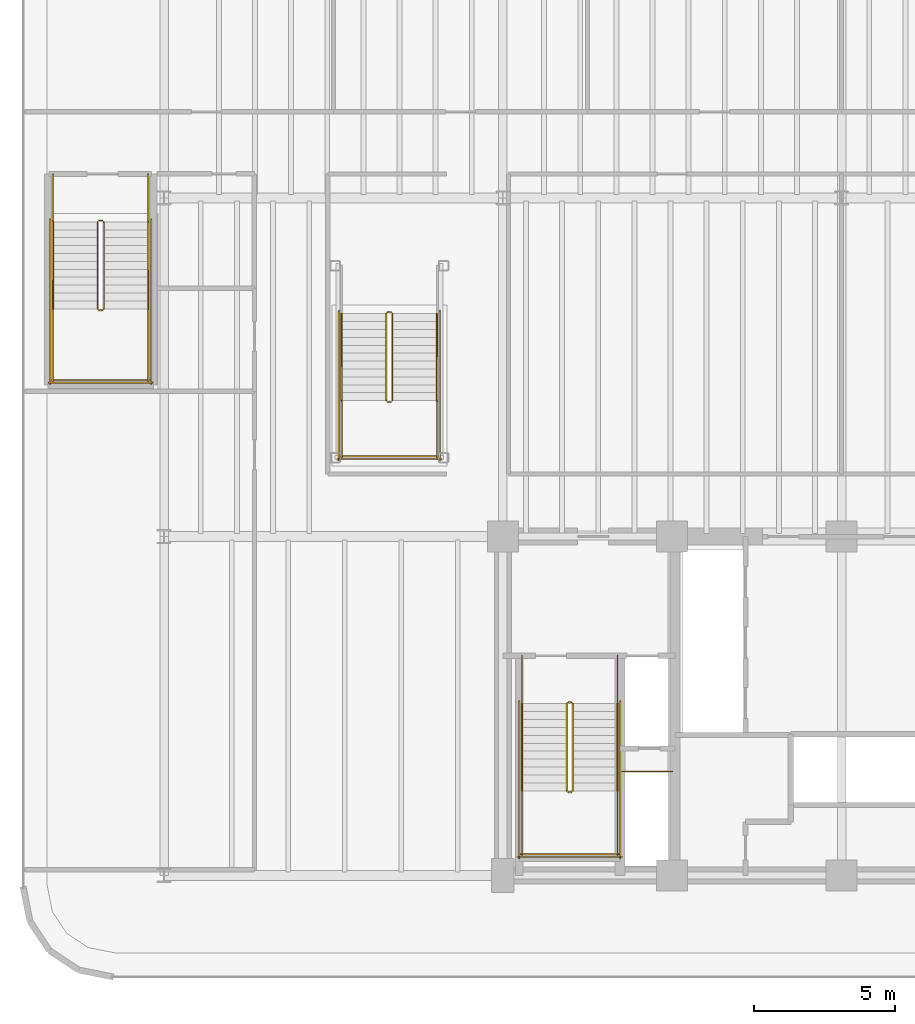
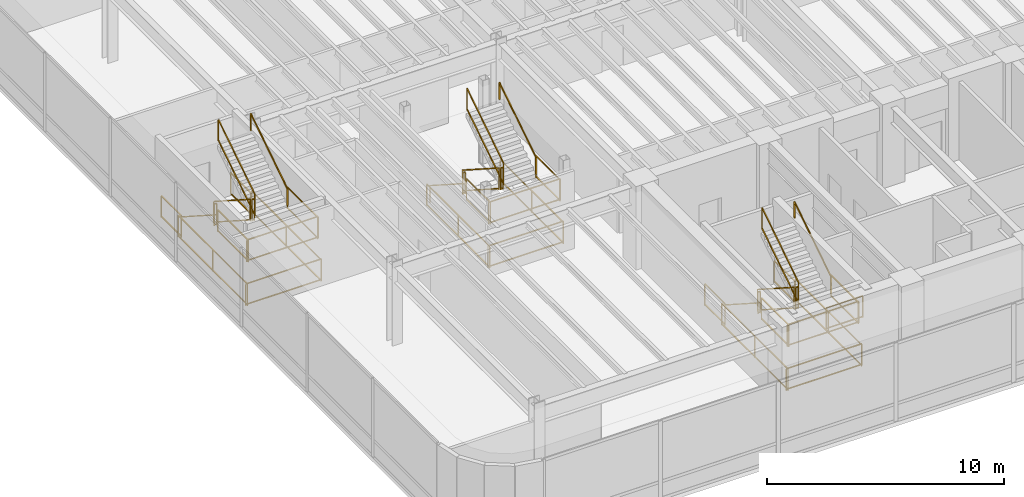
# One storey, part 16 of 18: 41 railings.
"""IFC4 building model written with IfcOpenShell, lengths in metres."""

from ifc_helpers import new_model, si_unit, direction, frame, origin, origin_2d, place, context, subcontext, project, spatial, rectangle, extrude, material, layer, layer_set, type_object, element, save


model = new_model("IFC4")

# Units and contexts
model_context = context("Model", 3, precision=1e-05, world=origin(), true_north=direction((0.0, 1.0)))
body_context = subcontext(model_context, "Body", "Model", "MODEL_VIEW")
ifc_project = project(units=[si_unit("LENGTHUNIT", "METRE"), si_unit("AREAUNIT", "SQUARE_METRE"), si_unit("VOLUMEUNIT", "CUBIC_METRE"), si_unit("PLANEANGLEUNIT", "RADIAN"), si_unit("MASSUNIT", "GRAM", prefix="KILO")], contexts=[model_context])

# Site, building, storey
site_placement = place(None, origin())
site = spatial("IfcSite", under=ifc_project, at=site_placement, CompositionType="ELEMENT")
building_placement = place(site_placement, origin())
building = spatial("IfcBuilding", under=site, at=building_placement, Name="Brelvock Crest Care Tower", CompositionType="ELEMENT")
storey_placement = place(building_placement, frame((0.0, 0.0, 5.39990234375)))
storey = spatial("IfcBuildingStorey", under=building, at=storey_placement, Name="L01", CompositionType="ELEMENT", Elevation=5.39990234375)

# Railings
ifc_material = material(Name="Steel Grade 350", Category="steel")
ifc_layer_1 = layer(ifc_material, 0.050048828125, Name="RL-STG1")
ifc_layer_set_1 = layer_set([ifc_layer_1], Name="Steel Grade 350")
railing_type_1 = type_object("IfcRailingType", Name="RL-STG1", PredefinedType="GUARDRAIL", material=ifc_layer_set_1)
railing_1_placement = place(storey_placement, frame((26.260009765625, 12.080078125, 0.18017578125)))
element("IfcRailing", 1, at=railing_1_placement, inside=storey, type_object=railing_type_1, Name="L01 ST-1 stair guard 1", PredefinedType="GUARDRAIL", context=body_context, shape_type="SweptSolid", body=[
    extrude(rectangle(XDim=0.048095703125, YDim=0.048095703125, at=origin_2d()), frame((0.0, -0.001708984375, 1.116943359375), z_axis=(0.0, -0.84118714077, 0.540744111576), x_axis=(1.0, 0.0, 0.0)), (0.0, 0.0, 1.0), 3.657470703125),
    extrude(rectangle(XDim=0.048095703125, YDim=0.048095703125, at=origin_2d()), frame((0.0, -0.001708984375, 0.05615234375), z_axis=(0.0, -0.84118714077, 0.540744111576), x_axis=(1.0, 0.0, 0.0)), (0.0, 0.0, 1.0), 3.657470703125),
    extrude(rectangle(XDim=0.0419921875, YDim=0.0419921875, at=origin_2d()), origin(), (0.0, 0.0, 1.0), 1.08984375),
    extrude(rectangle(XDim=0.0419921875, YDim=0.0419921875, at=origin_2d()), frame((0.0, -3.080078125, 1.97998046875)), (0.0, 0.0, 1.0), 1.08984375),
])
railing_2_placement = place(storey_placement, frame((26.31005859375, 8.949951171875, 2.16015625)))
element("IfcRailing", 2, at=railing_2_placement, inside=storey, type_object=railing_type_1, Name="L01 ST-1 stair guard 2", PredefinedType="GUARDRAIL", context=body_context, shape_type="SweptSolid", body=[
    extrude(rectangle(XDim=0.048095703125, YDim=0.048095703125, at=origin_2d()), frame((0.001953125, 0.0, 1.11572265625), z_axis=(1.0, 0.0, 0.0), x_axis=(0.0, 1.0, 0.0)), (0.0, 0.0, 1.0), 0.115966796875),
    extrude(rectangle(XDim=0.048095703125, YDim=0.048095703125, at=origin_2d()), frame((0.001953125, 0.0, 0.054931640625), z_axis=(1.0, 0.0, 0.0), x_axis=(0.0, 1.0, 0.0)), (0.0, 0.0, 1.0), 0.115966796875),
    extrude(rectangle(XDim=0.0419921875, YDim=0.0419921875, at=origin_2d()), origin(), (0.0, 0.0, 1.0), 1.08984375),
    extrude(rectangle(XDim=0.0419921875, YDim=0.0419921875, at=origin_2d()), frame((0.119873046875, 0.0, 0.0)), (0.0, 0.0, 1.0), 1.08984375),
])
for number, where, name in (
    (3, (24.679931640625, 9.0, 2.16015625), "L01 ST-1 stair guard 3"),
    (4, (28.06005859375, 9.0, 2.16015625), "L01 ST-1 stair guard 4"),
):
    element("IfcRailing", number, at=place(storey_placement, frame(where)), inside=storey, type_object=railing_type_1, Name=name, PredefinedType="GUARDRAIL", context=body_context, shape_type="SweptSolid", body=[
        extrude(rectangle(XDim=0.048095703125, YDim=0.048095703125, at=origin_2d()), frame((0.0, -0.001953125, 1.11572265625), z_axis=(0.0, -1.0, 0.0), x_axis=(1.0, 0.0, 0.0)), (0.0, 0.0, 1.0), 2.296142578125),
        extrude(rectangle(XDim=0.048095703125, YDim=0.048095703125, at=origin_2d()), frame((0.0, -0.001953125, 0.054931640625), z_axis=(0.0, -1.0, 0.0), x_axis=(1.0, 0.0, 0.0)), (0.0, 0.0, 1.0), 2.296142578125),
        extrude(rectangle(XDim=0.0419921875, YDim=0.0419921875, at=origin_2d()), origin(), (0.0, 0.0, 1.0), 1.08984375),
        extrude(rectangle(XDim=0.0419921875, YDim=0.0419921875, at=origin_2d()), frame((0.0, -2.300048828125, 0.0)), (0.0, 0.0, 1.0), 1.08984375),
    ])
railing_3_placement = place(storey_placement, frame((24.6298828125, 6.75, 2.16015625)))
element("IfcRailing", 5, at=railing_3_placement, inside=storey, type_object=railing_type_1, Name="L01 ST-1 stair guard 5", PredefinedType="GUARDRAIL", context=body_context, shape_type="SweptSolid", body=[
    extrude(rectangle(XDim=0.048095703125, YDim=0.048095703125, at=origin_2d()), frame((0.001953125, 0.0, 1.11572265625), z_axis=(1.0, 0.0, 0.0), x_axis=(0.0, 1.0, 0.0)), (0.0, 0.0, 1.0), 3.476318359375),
    extrude(rectangle(XDim=0.048095703125, YDim=0.048095703125, at=origin_2d()), frame((0.001953125, 0.0, 0.054931640625), z_axis=(1.0, 0.0, 0.0), x_axis=(0.0, 1.0, 0.0)), (0.0, 0.0, 1.0), 3.476318359375),
    extrude(rectangle(XDim=0.0419921875, YDim=0.0419921875, at=origin_2d()), origin(), (0.0, 0.0, 1.0), 1.08984375),
    extrude(rectangle(XDim=0.0419921875, YDim=0.0419921875, at=origin_2d()), frame((3.480224609375, 0.0, 0.0)), (0.0, 0.0, 1.0), 1.08984375),
])
railing_4_placement = place(storey_placement, frame((26.47998046875, 9.0, 2.340087890625)))
element("IfcRailing", 6, at=railing_4_placement, inside=storey, type_object=railing_type_1, Name="L01 ST-1 stair guard 6", PredefinedType="GUARDRAIL", context=body_context, shape_type="SweptSolid", body=[
    extrude(rectangle(XDim=0.048095703125, YDim=0.048095703125, at=origin_2d()), frame((0.0, 0.001708984375, 1.116943359375), z_axis=(0.0, 0.84118714077, 0.540744111576), x_axis=(-1.0, 0.0, 0.0)), (0.0, 0.0, 1.0), 3.657470703125),
    extrude(rectangle(XDim=0.048095703125, YDim=0.048095703125, at=origin_2d()), frame((0.0, 0.001708984375, 0.05615234375), z_axis=(0.0, 0.84118714077, 0.540744111576), x_axis=(-1.0, 0.0, 0.0)), (0.0, 0.0, 1.0), 3.657470703125),
    extrude(rectangle(XDim=0.0419921875, YDim=0.0419921875, at=origin_2d()), origin(), (0.0, 0.0, 1.0), 1.08984375),
    extrude(rectangle(XDim=0.0419921875, YDim=0.0419921875, at=origin_2d()), frame((0.0, 3.080078125, 1.97998046875)), (0.0, 0.0, 1.0), 1.08984375),
])
railing_5_placement = place(storey_placement, frame((26.31005859375, 12.1298828125, 0.0)))
element("IfcRailing", 7, at=railing_5_placement, inside=storey, type_object=railing_type_1, Name="L01 ST-1 stair guard 7", PredefinedType="GUARDRAIL", context=body_context, shape_type="SweptSolid", body=[
    extrude(rectangle(XDim=0.048095703125, YDim=0.048095703125, at=origin_2d()), frame((0.001953125, 0.0, 1.11572265625), z_axis=(1.0, 0.0, 0.0), x_axis=(0.0, 1.0, 0.0)), (0.0, 0.0, 1.0), 0.115966796875),
    extrude(rectangle(XDim=0.048095703125, YDim=0.048095703125, at=origin_2d()), frame((0.001953125, 0.0, 0.054931640625), z_axis=(1.0, 0.0, 0.0), x_axis=(0.0, 1.0, 0.0)), (0.0, 0.0, 1.0), 0.115966796875),
    extrude(rectangle(XDim=0.0419921875, YDim=0.0419921875, at=origin_2d()), origin(), (0.0, 0.0, 1.0), 1.08984375),
    extrude(rectangle(XDim=0.0419921875, YDim=0.0419921875, at=origin_2d()), frame((0.119873046875, 0.0, 0.0)), (0.0, 0.0, 1.0), 1.08984375),
])
for number, where, name in (
    (8, (24.679931640625, 13.780029296875, 0.0), "L01 ST-1 stair guard 8"),
    (9, (28.06005859375, 13.780029296875, 0.0), "L01 ST-1 stair guard 9"),
):
    element("IfcRailing", number, at=place(storey_placement, frame(where)), inside=storey, type_object=railing_type_1, Name=name, PredefinedType="GUARDRAIL", context=body_context, shape_type="SweptSolid", body=[
        extrude(rectangle(XDim=0.048095703125, YDim=0.048095703125, at=origin_2d()), frame((0.0, -0.001953125, 1.11572265625), z_axis=(0.0, -1.0, 0.0), x_axis=(1.0, 0.0, 0.0)), (0.0, 0.0, 1.0), 1.696044921875),
        extrude(rectangle(XDim=0.048095703125, YDim=0.048095703125, at=origin_2d()), frame((0.0, -0.001953125, 0.054931640625), z_axis=(0.0, -1.0, 0.0), x_axis=(1.0, 0.0, 0.0)), (0.0, 0.0, 1.0), 1.696044921875),
        extrude(rectangle(XDim=0.0419921875, YDim=0.0419921875, at=origin_2d()), origin(), (0.0, 0.0, 1.0), 1.08984375),
        extrude(rectangle(XDim=0.0419921875, YDim=0.0419921875, at=origin_2d()), frame((0.0, -1.699951171875, 0.0)), (0.0, 0.0, 1.0), 1.08984375),
    ])
for number, where, name in (
    (10, (24.580078125, 12.179931640625, 0.0), "L01 ST-1 stair guard 10"),
    (11, (28.159912109375, 12.179931640625, 0.0), "L01 ST-1 stair guard 11"),
):
    element("IfcRailing", number, at=place(storey_placement, frame(where)), inside=storey, type_object=railing_type_1, Name=name, PredefinedType="GUARDRAIL", context=body_context, shape_type="SweptSolid", body=[
        extrude(rectangle(XDim=0.048095703125, YDim=0.048095703125, at=origin_2d()), frame((0.0, -0.001953125, 1.11572265625), z_axis=(0.0, -1.0, 0.0), x_axis=(1.0, 0.0, 0.0)), (0.0, 0.0, 1.0), 5.575927734375),
        extrude(rectangle(XDim=0.048095703125, YDim=0.048095703125, at=origin_2d()), frame((0.0, -0.001953125, 0.054931640625), z_axis=(0.0, -1.0, 0.0), x_axis=(1.0, 0.0, 0.0)), (0.0, 0.0, 1.0), 5.575927734375),
        extrude(rectangle(XDim=0.0419921875, YDim=0.0419921875, at=origin_2d()), origin(), (0.0, 0.0, 1.0), 1.08984375),
        extrude(rectangle(XDim=0.0419921875, YDim=0.0419921875, at=origin_2d()), frame((0.0, -2.7900390625, 0.0)), (0.0, 0.0, 1.0), 1.08984375),
        extrude(rectangle(XDim=0.0419921875, YDim=0.0419921875, at=origin_2d()), frame((0.0, -5.579833984375, 0.0)), (0.0, 0.0, 1.0), 1.08984375),
    ])
railing_6_placement = place(storey_placement, frame((24.530029296875, 6.64990234375, 0.0)))
element("IfcRailing", 12, at=railing_6_placement, inside=storey, type_object=railing_type_1, Name="L01 ST-1 stair guard 12", PredefinedType="GUARDRAIL", context=body_context, shape_type="SweptSolid", body=[
    extrude(rectangle(XDim=0.048095703125, YDim=0.048095703125, at=origin_2d()), frame((0.001953125, 0.0, 1.11572265625), z_axis=(1.0, 0.0, 0.0), x_axis=(0.0, 1.0, 0.0)), (0.0, 0.0, 1.0), 3.676025390625),
    extrude(rectangle(XDim=0.048095703125, YDim=0.048095703125, at=origin_2d()), frame((0.001953125, 0.0, 0.054931640625), z_axis=(1.0, 0.0, 0.0), x_axis=(0.0, 1.0, 0.0)), (0.0, 0.0, 1.0), 3.676025390625),
    extrude(rectangle(XDim=0.0419921875, YDim=0.0419921875, at=origin_2d()), origin(), (0.0, 0.0, 1.0), 1.08984375),
    extrude(rectangle(XDim=0.0419921875, YDim=0.0419921875, at=origin_2d()), frame((3.679931640625, 0.0, 0.0)), (0.0, 0.0, 1.0), 1.08984375),
])
railing_7_placement = place(storey_placement, frame((9.639892578125, 29.14990234375, 0.18017578125)))
element("IfcRailing", 13, at=railing_7_placement, inside=storey, type_object=railing_type_1, Name="L01 ST-3 stair guard 1", PredefinedType="GUARDRAIL", context=body_context, shape_type="SweptSolid", body=[
    extrude(rectangle(XDim=0.048095703125, YDim=0.048095703125, at=origin_2d()), frame((0.0, -0.001708984375, 1.116943359375), z_axis=(0.0, -0.841167642724, 0.540774441735), x_axis=(1.0, 0.0, 0.0)), (0.0, 0.0, 1.0), 3.657470703125),
    extrude(rectangle(XDim=0.048095703125, YDim=0.048095703125, at=origin_2d()), frame((0.0, -0.001708984375, 0.05615234375), z_axis=(0.0, -0.841167642724, 0.540774441735), x_axis=(1.0, 0.0, 0.0)), (0.0, 0.0, 1.0), 3.657470703125),
    extrude(rectangle(XDim=0.0419921875, YDim=0.0419921875, at=origin_2d()), origin(), (0.0, 0.0, 1.0), 1.08984375),
    extrude(rectangle(XDim=0.0419921875, YDim=0.0419921875, at=origin_2d()), frame((0.0, -3.079833984375, 1.97998046875)), (0.0, 0.0, 1.0), 1.08984375),
])
railing_8_placement = place(storey_placement, frame((9.68994140625, 26.02001953125, 2.16015625)))
element("IfcRailing", 14, at=railing_8_placement, inside=storey, type_object=railing_type_1, Name="L01 ST-3 stair guard 2", PredefinedType="GUARDRAIL", context=body_context, shape_type="SweptSolid", body=[
    extrude(rectangle(XDim=0.048095703125, YDim=0.048095703125, at=origin_2d()), frame((0.001953125, 0.0, 1.11572265625), z_axis=(1.0, 0.0, 0.0), x_axis=(0.0, 1.0, 0.0)), (0.0, 0.0, 1.0), 0.1162109375),
    extrude(rectangle(XDim=0.048095703125, YDim=0.048095703125, at=origin_2d()), frame((0.001953125, 0.0, 0.054931640625), z_axis=(1.0, 0.0, 0.0), x_axis=(0.0, 1.0, 0.0)), (0.0, 0.0, 1.0), 0.1162109375),
    extrude(rectangle(XDim=0.0419921875, YDim=0.0419921875, at=origin_2d()), origin(), (0.0, 0.0, 1.0), 1.08984375),
    extrude(rectangle(XDim=0.0419921875, YDim=0.0419921875, at=origin_2d()), frame((0.1201171875, 0.0, 0.0)), (0.0, 0.0, 1.0), 1.08984375),
])
for number, where, name in (
    (15, (8.06005859375, 26.070068359375, 2.16015625), "L01 ST-3 stair guard 3"),
    (16, (11.43994140625, 26.070068359375, 2.16015625), "L01 ST-3 stair guard 4"),
):
    element("IfcRailing", number, at=place(storey_placement, frame(where)), inside=storey, type_object=railing_type_1, Name=name, PredefinedType="GUARDRAIL", context=body_context, shape_type="SweptSolid", body=[
        extrude(rectangle(XDim=0.048095703125, YDim=0.048095703125, at=origin_2d()), frame((0.0, -0.001953125, 1.11572265625), z_axis=(0.0, -1.0, 0.0), x_axis=(1.0, 0.0, 0.0)), (0.0, 0.0, 1.0), 2.566162109375),
        extrude(rectangle(XDim=0.048095703125, YDim=0.048095703125, at=origin_2d()), frame((0.0, -0.001953125, 0.054931640625), z_axis=(0.0, -1.0, 0.0), x_axis=(1.0, 0.0, 0.0)), (0.0, 0.0, 1.0), 2.566162109375),
        extrude(rectangle(XDim=0.0419921875, YDim=0.0419921875, at=origin_2d()), origin(), (0.0, 0.0, 1.0), 1.08984375),
        extrude(rectangle(XDim=0.0419921875, YDim=0.0419921875, at=origin_2d()), frame((0.0, -2.570068359375, 0.0)), (0.0, 0.0, 1.0), 1.08984375),
    ])
railing_9_placement = place(storey_placement, frame((8.010009765625, 23.550048828125, 2.16015625)))
element("IfcRailing", 17, at=railing_9_placement, inside=storey, type_object=railing_type_1, Name="L01 ST-3 stair guard 5", PredefinedType="GUARDRAIL", context=body_context, shape_type="SweptSolid", body=[
    extrude(rectangle(XDim=0.048095703125, YDim=0.048095703125, at=origin_2d()), frame((0.001953125, 0.0, 1.11572265625), z_axis=(1.0, 0.0, 0.0), x_axis=(0.0, 1.0, 0.0)), (0.0, 0.0, 1.0), 3.47607421875),
    extrude(rectangle(XDim=0.048095703125, YDim=0.048095703125, at=origin_2d()), frame((0.001953125, 0.0, 0.054931640625), z_axis=(1.0, 0.0, 0.0), x_axis=(0.0, 1.0, 0.0)), (0.0, 0.0, 1.0), 3.47607421875),
    extrude(rectangle(XDim=0.0419921875, YDim=0.0419921875, at=origin_2d()), origin(), (0.0, 0.0, 1.0), 1.08984375),
    extrude(rectangle(XDim=0.0419921875, YDim=0.0419921875, at=origin_2d()), frame((3.47998046875, 0.0, 0.0)), (0.0, 0.0, 1.0), 1.08984375),
])
railing_10_placement = place(storey_placement, frame((9.860107421875, 26.070068359375, 2.340087890625)))
element("IfcRailing", 18, at=railing_10_placement, inside=storey, type_object=railing_type_1, Name="L01 ST-3 stair guard 6", PredefinedType="GUARDRAIL", context=body_context, shape_type="SweptSolid", body=[
    extrude(rectangle(XDim=0.048095703125, YDim=0.048095703125, at=origin_2d()), frame((0.0, 0.001708984375, 1.116943359375), z_axis=(0.0, 0.841167642724, 0.540774441735), x_axis=(-1.0, 0.0, 0.0)), (0.0, 0.0, 1.0), 3.657470703125),
    extrude(rectangle(XDim=0.048095703125, YDim=0.048095703125, at=origin_2d()), frame((0.0, 0.001708984375, 0.05615234375), z_axis=(0.0, 0.841167642724, 0.540774441735), x_axis=(-1.0, 0.0, 0.0)), (0.0, 0.0, 1.0), 3.657470703125),
    extrude(rectangle(XDim=0.0419921875, YDim=0.0419921875, at=origin_2d()), origin(), (0.0, 0.0, 1.0), 1.08984375),
    extrude(rectangle(XDim=0.0419921875, YDim=0.0419921875, at=origin_2d()), frame((0.0, 3.079833984375, 1.97998046875)), (0.0, 0.0, 1.0), 1.08984375),
])
railing_11_placement = place(storey_placement, frame((9.68994140625, 29.199951171875, 0.0)))
element("IfcRailing", 19, at=railing_11_placement, inside=storey, type_object=railing_type_1, Name="L01 ST-3 stair guard 7", PredefinedType="GUARDRAIL", context=body_context, shape_type="SweptSolid", body=[
    extrude(rectangle(XDim=0.048095703125, YDim=0.048095703125, at=origin_2d()), frame((0.001953125, 0.0, 1.11572265625), z_axis=(1.0, 0.0, 0.0), x_axis=(0.0, 1.0, 0.0)), (0.0, 0.0, 1.0), 0.1162109375),
    extrude(rectangle(XDim=0.048095703125, YDim=0.048095703125, at=origin_2d()), frame((0.001953125, 0.0, 0.054931640625), z_axis=(1.0, 0.0, 0.0), x_axis=(0.0, 1.0, 0.0)), (0.0, 0.0, 1.0), 0.1162109375),
    extrude(rectangle(XDim=0.0419921875, YDim=0.0419921875, at=origin_2d()), origin(), (0.0, 0.0, 1.0), 1.08984375),
    extrude(rectangle(XDim=0.0419921875, YDim=0.0419921875, at=origin_2d()), frame((0.1201171875, 0.0, 0.0)), (0.0, 0.0, 1.0), 1.08984375),
])
for number, where, name in (
    (20, (8.06005859375, 30.85009765625, 0.0), "L01 ST-3 stair guard 8"),
    (21, (11.43994140625, 30.85009765625, 0.0), "L01 ST-3 stair guard 9"),
):
    element("IfcRailing", number, at=place(storey_placement, frame(where)), inside=storey, type_object=railing_type_1, Name=name, PredefinedType="GUARDRAIL", context=body_context, shape_type="SweptSolid", body=[
        extrude(rectangle(XDim=0.048095703125, YDim=0.048095703125, at=origin_2d()), frame((0.0, -0.001953125, 1.11572265625), z_axis=(0.0, -1.0, 0.0), x_axis=(1.0, 0.0, 0.0)), (0.0, 0.0, 1.0), 1.6962890625),
        extrude(rectangle(XDim=0.048095703125, YDim=0.048095703125, at=origin_2d()), frame((0.0, -0.001953125, 0.054931640625), z_axis=(0.0, -1.0, 0.0), x_axis=(1.0, 0.0, 0.0)), (0.0, 0.0, 1.0), 1.6962890625),
        extrude(rectangle(XDim=0.0419921875, YDim=0.0419921875, at=origin_2d()), origin(), (0.0, 0.0, 1.0), 1.08984375),
        extrude(rectangle(XDim=0.0419921875, YDim=0.0419921875, at=origin_2d()), frame((0.0, -1.7001953125, 0.0)), (0.0, 0.0, 1.0), 1.08984375),
    ])
for number, where, name in (
    (22, (7.9599609375, 29.25, 0.0), "L01 ST-3 stair guard 10"),
    (23, (11.5400390625, 29.25, 0.0), "L01 ST-3 stair guard 11"),
):
    element("IfcRailing", number, at=place(storey_placement, frame(where)), inside=storey, type_object=railing_type_1, Name=name, PredefinedType="GUARDRAIL", context=body_context, shape_type="SweptSolid", body=[
        extrude(rectangle(XDim=0.048095703125, YDim=0.048095703125, at=origin_2d()), frame((0.0, -0.001953125, 1.11572265625), z_axis=(0.0, -1.0, 0.0), x_axis=(1.0, 0.0, 0.0)), (0.0, 0.0, 1.0), 5.84619140625),
        extrude(rectangle(XDim=0.048095703125, YDim=0.048095703125, at=origin_2d()), frame((0.0, -0.001953125, 0.054931640625), z_axis=(0.0, -1.0, 0.0), x_axis=(1.0, 0.0, 0.0)), (0.0, 0.0, 1.0), 5.84619140625),
        extrude(rectangle(XDim=0.0419921875, YDim=0.0419921875, at=origin_2d()), origin(), (0.0, 0.0, 1.0), 1.08984375),
        extrude(rectangle(XDim=0.0419921875, YDim=0.0419921875, at=origin_2d()), frame((0.0, -2.925048828125, 0.0)), (0.0, 0.0, 1.0), 1.08984375),
        extrude(rectangle(XDim=0.0419921875, YDim=0.0419921875, at=origin_2d()), frame((0.0, -5.85009765625, 0.0)), (0.0, 0.0, 1.0), 1.08984375),
    ])
railing_12_placement = place(storey_placement, frame((7.909912109375, 23.449951171875, 0.0)))
element("IfcRailing", 24, at=railing_12_placement, inside=storey, type_object=railing_type_1, Name="L01 ST-3 stair guard 12", PredefinedType="GUARDRAIL", context=body_context, shape_type="SweptSolid", body=[
    extrude(rectangle(XDim=0.048095703125, YDim=0.048095703125, at=origin_2d()), frame((0.001953125, 0.0, 1.11572265625), z_axis=(1.0, 0.0, 0.0), x_axis=(0.0, 1.0, 0.0)), (0.0, 0.0, 1.0), 3.67626953125),
    extrude(rectangle(XDim=0.048095703125, YDim=0.048095703125, at=origin_2d()), frame((0.001953125, 0.0, 0.054931640625), z_axis=(1.0, 0.0, 0.0), x_axis=(0.0, 1.0, 0.0)), (0.0, 0.0, 1.0), 3.67626953125),
    extrude(rectangle(XDim=0.0419921875, YDim=0.0419921875, at=origin_2d()), origin(), (0.0, 0.0, 1.0), 1.08984375),
    extrude(rectangle(XDim=0.0419921875, YDim=0.0419921875, at=origin_2d()), frame((3.68017578125, 0.0, 0.0)), (0.0, 0.0, 1.0), 1.08984375),
])
railing_13_placement = place(storey_placement, frame((19.8701171875, 25.89990234375, 0.18017578125)))
element("IfcRailing", 25, at=railing_13_placement, inside=storey, type_object=railing_type_1, Name="L01 ST-5 stair guard 1", PredefinedType="GUARDRAIL", context=body_context, shape_type="SweptSolid", body=[
    extrude(rectangle(XDim=0.048095703125, YDim=0.048095703125, at=origin_2d()), frame((0.0, -0.001708984375, 1.116943359375), z_axis=(0.0, -0.841167642724, 0.540774441735), x_axis=(1.0, 0.0, 0.0)), (0.0, 0.0, 1.0), 3.657470703125),
    extrude(rectangle(XDim=0.048095703125, YDim=0.048095703125, at=origin_2d()), frame((0.0, -0.001708984375, 0.05615234375), z_axis=(0.0, -0.841167642724, 0.540774441735), x_axis=(1.0, 0.0, 0.0)), (0.0, 0.0, 1.0), 3.657470703125),
    extrude(rectangle(XDim=0.0419921875, YDim=0.0419921875, at=origin_2d()), origin(), (0.0, 0.0, 1.0), 1.08984375),
    extrude(rectangle(XDim=0.0419921875, YDim=0.0419921875, at=origin_2d()), frame((0.0, -3.079833984375, 1.97998046875)), (0.0, 0.0, 1.0), 1.08984375),
])
railing_14_placement = place(storey_placement, frame((19.919921875, 22.77001953125, 2.16015625)))
element("IfcRailing", 26, at=railing_14_placement, inside=storey, type_object=railing_type_1, Name="L01 ST-5 stair guard 2", PredefinedType="GUARDRAIL", context=body_context, shape_type="SweptSolid", body=[
    extrude(rectangle(XDim=0.048095703125, YDim=0.048095703125, at=origin_2d()), frame((0.001953125, 0.0, 1.11572265625), z_axis=(1.0, 0.0, 0.0), x_axis=(0.0, 1.0, 0.0)), (0.0, 0.0, 1.0), 0.1162109375),
    extrude(rectangle(XDim=0.048095703125, YDim=0.048095703125, at=origin_2d()), frame((0.001953125, 0.0, 0.054931640625), z_axis=(1.0, 0.0, 0.0), x_axis=(0.0, 1.0, 0.0)), (0.0, 0.0, 1.0), 0.1162109375),
    extrude(rectangle(XDim=0.0419921875, YDim=0.0419921875, at=origin_2d()), origin(), (0.0, 0.0, 1.0), 1.08984375),
    extrude(rectangle(XDim=0.0419921875, YDim=0.0419921875, at=origin_2d()), frame((0.1201171875, 0.0, 0.0)), (0.0, 0.0, 1.0), 1.08984375),
])
for number, where, name in (
    (27, (18.2900390625, 22.820068359375, 2.16015625), "L01 ST-5 stair guard 3"),
    (28, (21.669921875, 22.820068359375, 2.16015625), "L01 ST-5 stair guard 4"),
):
    element("IfcRailing", number, at=place(storey_placement, frame(where)), inside=storey, type_object=railing_type_1, Name=name, PredefinedType="GUARDRAIL", context=body_context, shape_type="SweptSolid", body=[
        extrude(rectangle(XDim=0.048095703125, YDim=0.048095703125, at=origin_2d()), frame((0.0, -0.001953125, 1.11572265625), z_axis=(0.0, -1.0, 0.0), x_axis=(1.0, 0.0, 0.0)), (0.0, 0.0, 1.0), 2.01611328125),
        extrude(rectangle(XDim=0.048095703125, YDim=0.048095703125, at=origin_2d()), frame((0.0, -0.001953125, 0.054931640625), z_axis=(0.0, -1.0, 0.0), x_axis=(1.0, 0.0, 0.0)), (0.0, 0.0, 1.0), 2.01611328125),
        extrude(rectangle(XDim=0.0419921875, YDim=0.0419921875, at=origin_2d()), origin(), (0.0, 0.0, 1.0), 1.08984375),
        extrude(rectangle(XDim=0.0419921875, YDim=0.0419921875, at=origin_2d()), frame((0.0, -2.02001953125, 0.0)), (0.0, 0.0, 1.0), 1.08984375),
    ])
railing_15_placement = place(storey_placement, frame((18.239990234375, 20.85009765625, 2.16015625)))
element("IfcRailing", 29, at=railing_15_placement, inside=storey, type_object=railing_type_1, Name="L01 ST-5 stair guard 5", PredefinedType="GUARDRAIL", context=body_context, shape_type="SweptSolid", body=[
    extrude(rectangle(XDim=0.048095703125, YDim=0.048095703125, at=origin_2d()), frame((0.001953125, 0.0, 1.11572265625), z_axis=(1.0, 0.0, 0.0), x_axis=(0.0, 1.0, 0.0)), (0.0, 0.0, 1.0), 3.47607421875),
    extrude(rectangle(XDim=0.048095703125, YDim=0.048095703125, at=origin_2d()), frame((0.001953125, 0.0, 0.054931640625), z_axis=(1.0, 0.0, 0.0), x_axis=(0.0, 1.0, 0.0)), (0.0, 0.0, 1.0), 3.47607421875),
    extrude(rectangle(XDim=0.0419921875, YDim=0.0419921875, at=origin_2d()), origin(), (0.0, 0.0, 1.0), 1.08984375),
    extrude(rectangle(XDim=0.0419921875, YDim=0.0419921875, at=origin_2d()), frame((3.47998046875, 0.0, 0.0)), (0.0, 0.0, 1.0), 1.08984375),
])
railing_16_placement = place(storey_placement, frame((20.090087890625, 22.820068359375, 2.340087890625)))
element("IfcRailing", 30, at=railing_16_placement, inside=storey, type_object=railing_type_1, Name="L01 ST-5 stair guard 6", PredefinedType="GUARDRAIL", context=body_context, shape_type="SweptSolid", body=[
    extrude(rectangle(XDim=0.048095703125, YDim=0.048095703125, at=origin_2d()), frame((0.0, 0.001708984375, 1.116943359375), z_axis=(0.0, 0.841167642724, 0.540774441735), x_axis=(-1.0, 0.0, 0.0)), (0.0, 0.0, 1.0), 3.657470703125),
    extrude(rectangle(XDim=0.048095703125, YDim=0.048095703125, at=origin_2d()), frame((0.0, 0.001708984375, 0.05615234375), z_axis=(0.0, 0.841167642724, 0.540774441735), x_axis=(-1.0, 0.0, 0.0)), (0.0, 0.0, 1.0), 3.657470703125),
    extrude(rectangle(XDim=0.0419921875, YDim=0.0419921875, at=origin_2d()), origin(), (0.0, 0.0, 1.0), 1.08984375),
    extrude(rectangle(XDim=0.0419921875, YDim=0.0419921875, at=origin_2d()), frame((0.0, 3.079833984375, 1.97998046875)), (0.0, 0.0, 1.0), 1.08984375),
])
railing_17_placement = place(storey_placement, frame((19.919921875, 25.949951171875, 0.0)))
element("IfcRailing", 31, at=railing_17_placement, inside=storey, type_object=railing_type_1, Name="L01 ST-5 stair guard 7", PredefinedType="GUARDRAIL", context=body_context, shape_type="SweptSolid", body=[
    extrude(rectangle(XDim=0.048095703125, YDim=0.048095703125, at=origin_2d()), frame((0.001953125, 0.0, 1.11572265625), z_axis=(1.0, 0.0, 0.0), x_axis=(0.0, 1.0, 0.0)), (0.0, 0.0, 1.0), 0.1162109375),
    extrude(rectangle(XDim=0.048095703125, YDim=0.048095703125, at=origin_2d()), frame((0.001953125, 0.0, 0.054931640625), z_axis=(1.0, 0.0, 0.0), x_axis=(0.0, 1.0, 0.0)), (0.0, 0.0, 1.0), 0.1162109375),
    extrude(rectangle(XDim=0.0419921875, YDim=0.0419921875, at=origin_2d()), origin(), (0.0, 0.0, 1.0), 1.08984375),
    extrude(rectangle(XDim=0.0419921875, YDim=0.0419921875, at=origin_2d()), frame((0.1201171875, 0.0, 0.0)), (0.0, 0.0, 1.0), 1.08984375),
])
for number, where, name in (
    (32, (18.18994140625, 26.0, 0.0), "L01 ST-5 stair guard 10"),
    (33, (21.77001953125, 26.0, 0.0), "L01 ST-5 stair guard 11"),
):
    element("IfcRailing", number, at=place(storey_placement, frame(where)), inside=storey, type_object=railing_type_1, Name=name, PredefinedType="GUARDRAIL", context=body_context, shape_type="SweptSolid", body=[
        extrude(rectangle(XDim=0.048095703125, YDim=0.048095703125, at=origin_2d()), frame((0.0, -0.001953125, 1.11572265625), z_axis=(0.0, -1.0, 0.0), x_axis=(1.0, 0.0, 0.0)), (0.0, 0.0, 1.0), 5.296142578125),
        extrude(rectangle(XDim=0.048095703125, YDim=0.048095703125, at=origin_2d()), frame((0.0, -0.001953125, 0.054931640625), z_axis=(0.0, -1.0, 0.0), x_axis=(1.0, 0.0, 0.0)), (0.0, 0.0, 1.0), 5.296142578125),
        extrude(rectangle(XDim=0.0419921875, YDim=0.0419921875, at=origin_2d()), origin(), (0.0, 0.0, 1.0), 1.08984375),
        extrude(rectangle(XDim=0.0419921875, YDim=0.0419921875, at=origin_2d()), frame((0.0, -2.64990234375, 0.0)), (0.0, 0.0, 1.0), 1.08984375),
        extrude(rectangle(XDim=0.0419921875, YDim=0.0419921875, at=origin_2d()), frame((0.0, -5.300048828125, 0.0)), (0.0, 0.0, 1.0), 1.08984375),
    ])
railing_18_placement = place(storey_placement, frame((18.139892578125, 20.75, 0.0)))
element("IfcRailing", 34, at=railing_18_placement, inside=storey, type_object=railing_type_1, Name="L01 ST-5 stair guard 12", PredefinedType="GUARDRAIL", context=body_context, shape_type="SweptSolid", body=[
    extrude(rectangle(XDim=0.048095703125, YDim=0.048095703125, at=origin_2d()), frame((0.001953125, 0.0, 1.11572265625), z_axis=(1.0, 0.0, 0.0), x_axis=(0.0, 1.0, 0.0)), (0.0, 0.0, 1.0), 3.67626953125),
    extrude(rectangle(XDim=0.048095703125, YDim=0.048095703125, at=origin_2d()), frame((0.001953125, 0.0, 0.054931640625), z_axis=(1.0, 0.0, 0.0), x_axis=(0.0, 1.0, 0.0)), (0.0, 0.0, 1.0), 3.67626953125),
    extrude(rectangle(XDim=0.0419921875, YDim=0.0419921875, at=origin_2d()), origin(), (0.0, 0.0, 1.0), 1.08984375),
    extrude(rectangle(XDim=0.0419921875, YDim=0.0419921875, at=origin_2d()), frame((3.68017578125, 0.0, 0.0)), (0.0, 0.0, 1.0), 1.08984375),
])
railing_19_placement = place(storey_placement, frame((28.219970703125, 9.679931640625, 0.0)))
element("IfcRailing", 35, at=railing_19_placement, inside=storey, type_object=railing_type_1, Name="L01 Fire Riser Threshold Guard", PredefinedType="GUARDRAIL", context=body_context, shape_type="SweptSolid", body=[
    extrude(rectangle(XDim=0.048095703125, YDim=0.048095703125, at=origin_2d()), frame((0.001953125, 0.0, 1.11572265625), z_axis=(1.0, 0.0, 0.0), x_axis=(0.0, 1.0, 0.0)), (0.0, 0.0, 1.0), 1.776123046875),
    extrude(rectangle(XDim=0.048095703125, YDim=0.048095703125, at=origin_2d()), frame((0.001953125, 0.0, 0.054931640625), z_axis=(1.0, 0.0, 0.0), x_axis=(0.0, 1.0, 0.0)), (0.0, 0.0, 1.0), 1.776123046875),
    extrude(rectangle(XDim=0.0419921875, YDim=0.0419921875, at=origin_2d()), origin(), (0.0, 0.0, 1.0), 1.08984375),
    extrude(rectangle(XDim=0.0419921875, YDim=0.0419921875, at=origin_2d()), frame((1.780029296875, 0.0, 0.0)), (0.0, 0.0, 1.0), 1.08984375),
])
ifc_layer_2 = layer(ifc_material, 0.048095703125, Name="RL-STH1")
ifc_layer_set_2 = layer_set([ifc_layer_2], Name="Steel Grade 350")
railing_type_2 = type_object("IfcRailingType", Name="RL-STH1", PredefinedType="HANDRAIL", material=ifc_layer_set_2)
railing_20_placement = place(storey_placement, frame((24.679931640625, 12.080078125, 0.18017578125)))
element("IfcRailing", 36, at=railing_20_placement, inside=storey, type_object=railing_type_2, Name="L01 ST-1 stair handrail 1", PredefinedType="HANDRAIL", context=body_context, shape_type="SweptSolid", body=[
    extrude(rectangle(XDim=0.048095703125, YDim=0.048095703125, at=origin_2d()), frame((0.0, -0.001708984375, 0.876953125), z_axis=(0.0, -0.84118714077, 0.540744111576), x_axis=(1.0, 0.0, 0.0)), (0.0, 0.0, 1.0), 3.657470703125),
    extrude(rectangle(XDim=0.0419921875, YDim=0.0419921875, at=origin_2d()), origin(), (0.0, 0.0, 1.0), 0.849853515625),
    extrude(rectangle(XDim=0.0419921875, YDim=0.0419921875, at=origin_2d()), frame((0.0, -3.080078125, 1.97998046875)), (0.0, 0.0, 1.0), 0.849853515625),
])
railing_21_placement = place(storey_placement, frame((28.06005859375, 9.0, 2.340087890625)))
element("IfcRailing", 37, at=railing_21_placement, inside=storey, type_object=railing_type_2, Name="L01 ST-1 stair handrail 2", PredefinedType="HANDRAIL", context=body_context, shape_type="SweptSolid", body=[
    extrude(rectangle(XDim=0.048095703125, YDim=0.048095703125, at=origin_2d()), frame((0.0, 0.001708984375, 0.876953125), z_axis=(0.0, 0.84118714077, 0.540744111576), x_axis=(-1.0, 0.0, 0.0)), (0.0, 0.0, 1.0), 3.657470703125),
    extrude(rectangle(XDim=0.0419921875, YDim=0.0419921875, at=origin_2d()), origin(), (0.0, 0.0, 1.0), 0.849853515625),
    extrude(rectangle(XDim=0.0419921875, YDim=0.0419921875, at=origin_2d()), frame((0.0, 3.080078125, 1.97998046875)), (0.0, 0.0, 1.0), 0.849853515625),
])
railing_22_placement = place(storey_placement, frame((8.06005859375, 29.14990234375, 0.18017578125)))
element("IfcRailing", 38, at=railing_22_placement, inside=storey, type_object=railing_type_2, Name="L01 ST-3 stair handrail 1", PredefinedType="HANDRAIL", context=body_context, shape_type="SweptSolid", body=[
    extrude(rectangle(XDim=0.048095703125, YDim=0.048095703125, at=origin_2d()), frame((0.0, -0.001708984375, 0.876953125), z_axis=(0.0, -0.841167642724, 0.540774441735), x_axis=(1.0, 0.0, 0.0)), (0.0, 0.0, 1.0), 3.657470703125),
    extrude(rectangle(XDim=0.0419921875, YDim=0.0419921875, at=origin_2d()), origin(), (0.0, 0.0, 1.0), 0.849853515625),
    extrude(rectangle(XDim=0.0419921875, YDim=0.0419921875, at=origin_2d()), frame((0.0, -3.079833984375, 1.97998046875)), (0.0, 0.0, 1.0), 0.849853515625),
])
railing_23_placement = place(storey_placement, frame((11.43994140625, 26.070068359375, 2.340087890625)))
element("IfcRailing", 39, at=railing_23_placement, inside=storey, type_object=railing_type_2, Name="L01 ST-3 stair handrail 2", PredefinedType="HANDRAIL", context=body_context, shape_type="SweptSolid", body=[
    extrude(rectangle(XDim=0.048095703125, YDim=0.048095703125, at=origin_2d()), frame((0.0, 0.001708984375, 0.876953125), z_axis=(0.0, 0.841167642724, 0.540774441735), x_axis=(-1.0, 0.0, 0.0)), (0.0, 0.0, 1.0), 3.657470703125),
    extrude(rectangle(XDim=0.0419921875, YDim=0.0419921875, at=origin_2d()), origin(), (0.0, 0.0, 1.0), 0.849853515625),
    extrude(rectangle(XDim=0.0419921875, YDim=0.0419921875, at=origin_2d()), frame((0.0, 3.079833984375, 1.97998046875)), (0.0, 0.0, 1.0), 0.849853515625),
])
railing_24_placement = place(storey_placement, frame((18.2900390625, 25.89990234375, 0.18017578125)))
element("IfcRailing", 40, at=railing_24_placement, inside=storey, type_object=railing_type_2, Name="L01 ST-5 stair handrail 1", PredefinedType="HANDRAIL", context=body_context, shape_type="SweptSolid", body=[
    extrude(rectangle(XDim=0.048095703125, YDim=0.048095703125, at=origin_2d()), frame((0.0, -0.001708984375, 0.876953125), z_axis=(0.0, -0.841167642724, 0.540774441735), x_axis=(1.0, 0.0, 0.0)), (0.0, 0.0, 1.0), 3.657470703125),
    extrude(rectangle(XDim=0.0419921875, YDim=0.0419921875, at=origin_2d()), origin(), (0.0, 0.0, 1.0), 0.849853515625),
    extrude(rectangle(XDim=0.0419921875, YDim=0.0419921875, at=origin_2d()), frame((0.0, -3.079833984375, 1.97998046875)), (0.0, 0.0, 1.0), 0.849853515625),
])
railing_25_placement = place(storey_placement, frame((21.669921875, 22.820068359375, 2.340087890625)))
element("IfcRailing", 41, at=railing_25_placement, inside=storey, type_object=railing_type_2, Name="L01 ST-5 stair handrail 2", PredefinedType="HANDRAIL", context=body_context, shape_type="SweptSolid", body=[
    extrude(rectangle(XDim=0.048095703125, YDim=0.048095703125, at=origin_2d()), frame((0.0, 0.001708984375, 0.876953125), z_axis=(0.0, 0.841167642724, 0.540774441735), x_axis=(-1.0, 0.0, 0.0)), (0.0, 0.0, 1.0), 3.657470703125),
    extrude(rectangle(XDim=0.0419921875, YDim=0.0419921875, at=origin_2d()), origin(), (0.0, 0.0, 1.0), 0.849853515625),
    extrude(rectangle(XDim=0.0419921875, YDim=0.0419921875, at=origin_2d()), frame((0.0, 3.079833984375, 1.97998046875)), (0.0, 0.0, 1.0), 0.849853515625),
])

save(model, "model.ifc")
